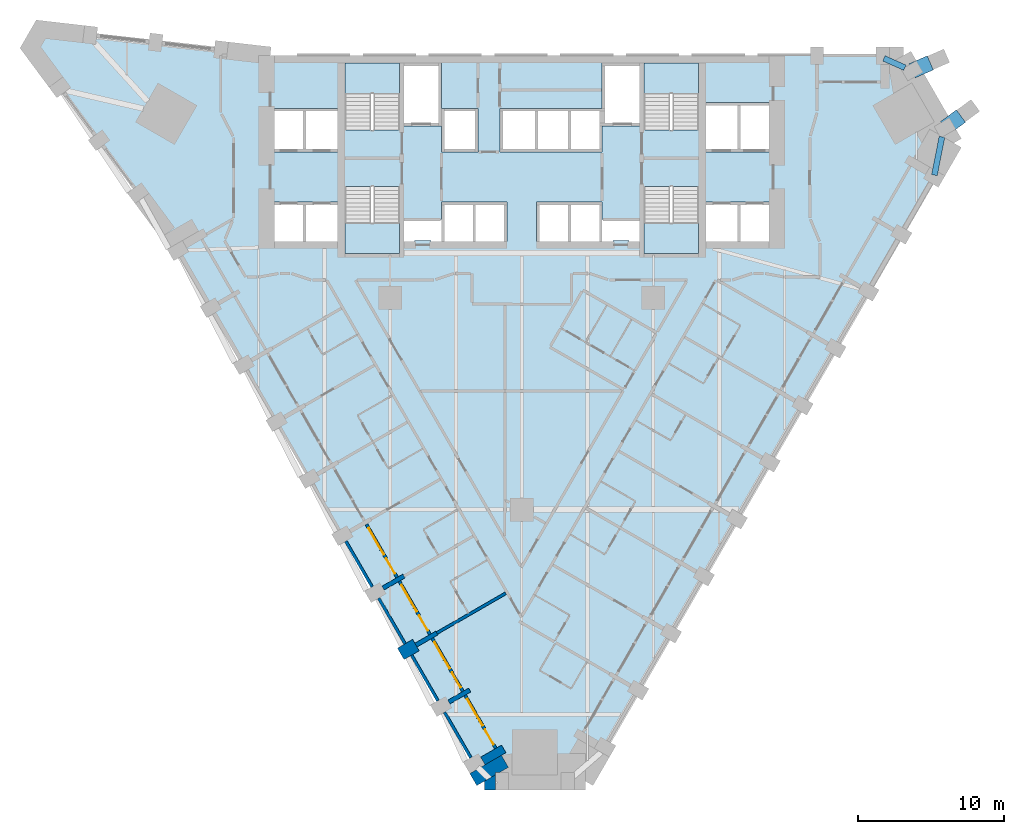
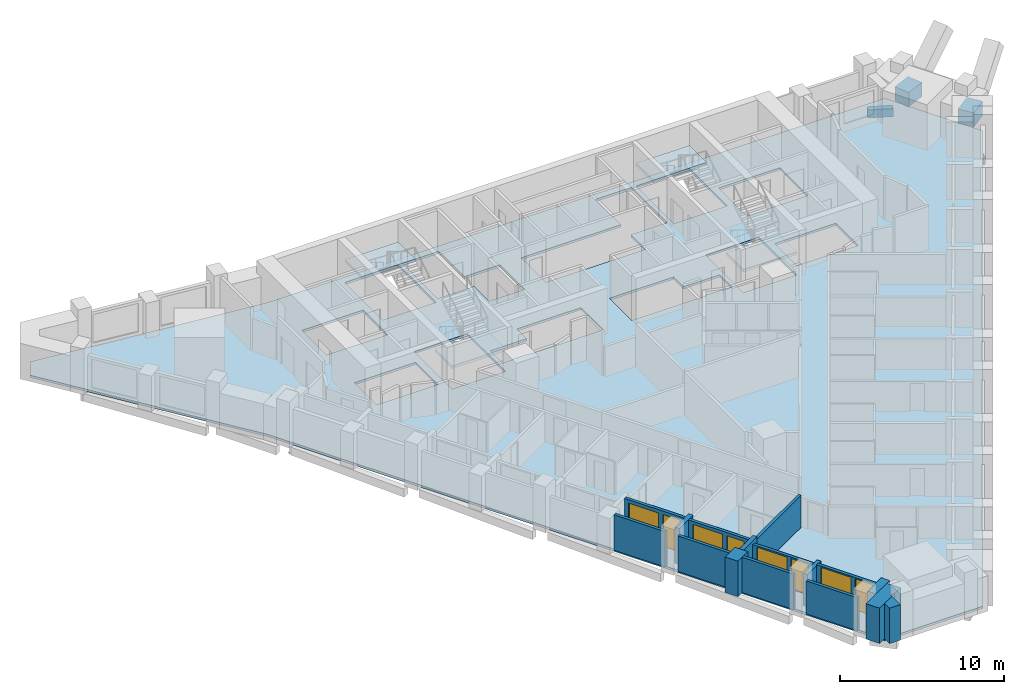
# One storey, part 2 of 12: 16 walls, 5 slabs, 4 beams, 4 doors, 4 windows, 8 openings, 4 elements without a shape of their own.
"""IFC4 building model written with IfcOpenShell, lengths in metres."""

from ifc_helpers import new_model, si_unit, direction, frame, frame_2d, origin, origin_2d, place, context, subcontext, project, spatial, polyline, rectangle, outline, extrude, material, layer, layer_set, material_profile, profile_set, type_object, element, fill, aggregate, save


model = new_model("IFC4")

# Units and contexts
model_context = context("Model", 3, precision=1e-05, world=origin(), true_north=direction((0.0, 1.0)))
body_context = subcontext(model_context, "Body", "Model", "MODEL_VIEW")
ifc_project = project(units=[si_unit("LENGTHUNIT", "METRE"), si_unit("AREAUNIT", "SQUARE_METRE"), si_unit("VOLUMEUNIT", "CUBIC_METRE"), si_unit("PLANEANGLEUNIT", "RADIAN"), si_unit("MASSUNIT", "GRAM", prefix="KILO")], contexts=[model_context])

# Site, building, storey
site_placement = place(None, origin())
site = spatial("IfcSite", under=ifc_project, at=site_placement, CompositionType="ELEMENT")
building_placement = place(site_placement, origin())
building = spatial("IfcBuilding", under=site, at=building_placement, Name="Calabash Gate Tower", CompositionType="ELEMENT")
storey_placement = place(building_placement, frame((0.0, 0.0, 80.0)))
storey = spatial("IfcBuildingStorey", under=building, at=storey_placement, Name="L16", CompositionType="ELEMENT", Elevation=80.0)

# Beams
ifc_material_1 = material(Name="Concrete C60/75", Category="concrete")
ifc_material_profile_1 = material_profile(ifc_material_1, rectangle(XDim=0.39990234375, YDim=0.60009765625, at=origin_2d()))
ifc_profile_set_1 = profile_set([ifc_material_profile_1], Name="Concrete C60/75")
beam_type_1 = type_object("IfcBeamType", Name="Edge beam RC 400x600 Concrete C60/75", PredefinedType="BEAM", material=ifc_profile_set_1)
beam_1_placement = place(storey_placement, frame((28.220947265625, 10.876953125, -0.469970703125), z_axis=(0.194549660951, 0.980892669676, 0.0), x_axis=(-0.980892669676, 0.194549660951, 0.0)))
element("IfcBeam", 1, at=beam_1_placement, inside=storey, type_object=beam_type_1, Name="Edge beam L16 12", PredefinedType="BEAM", context=body_context, shape_type="SweptSolid", body=[
    extrude(rectangle(XDim=0.39990234375, YDim=0.60009765625, at=origin_2d()), origin(), (0.0, 0.0, 1.0), 2.66796875),
])
beam_2_placement = place(storey_placement, frame((26.202880859375, 18.22705078125, -0.469970703125), z_axis=(-0.913625671127, 0.406556432807, 0.0), x_axis=(-0.406556432807, -0.913625671127, 0.0)))
element("IfcBeam", 2, at=beam_2_placement, inside=storey, type_object=beam_type_1, Name="Edge beam L16 13", PredefinedType="BEAM", context=body_context, shape_type="SweptSolid", body=[
    extrude(rectangle(XDim=0.39990234375, YDim=0.60009765625, at=origin_2d()), origin(), (0.0, 0.0, 1.0), 1.571533203125),
])
ifc_material_2 = material(Name="Concrete C80/95", Category="concrete")
ifc_material_profile_2 = material_profile(ifc_material_2, rectangle(XDim=1.050048828125, YDim=1.050048828125, at=origin_2d()))
ifc_profile_set_2 = profile_set([ifc_material_profile_2], Name="Concrete C80/95")
beam_type_2 = type_object("IfcBeamType", Name="Transfer node RC 1050x1050 Concrete C80/95", PredefinedType="BEAM", material=ifc_profile_set_2)
beam_3_placement = place(storey_placement, frame((28.947021484375, 14.113037109375, 0.527099609375), z_axis=(0.804273287637, 0.594259605554, 0.0), x_axis=(-0.594259605554, 0.804273287637, 0.0)))
element("IfcBeam", 3, at=beam_3_placement, inside=storey, type_object=beam_type_2, Name="Transfer node L18 prow foot P22", PredefinedType="BEAM", context=body_context, shape_type="SweptSolid", body=[
    extrude(rectangle(XDim=1.050048828125, YDim=1.050048828125, at=origin_2d()), origin(), (0.0, 0.0, 1.0), 1.35791015625),
])
beam_4_placement = place(storey_placement, frame((26.697021484375, 18.010986328125, 0.527099609375), z_axis=(0.915698880369, 0.401865102356, 0.0), x_axis=(-0.401865102356, 0.915698880369, 0.0)))
element("IfcBeam", 4, at=beam_4_placement, inside=storey, type_object=beam_type_2, Name="Transfer node L18 prow foot P23", PredefinedType="BEAM", context=body_context, shape_type="SweptSolid", body=[
    extrude(rectangle(XDim=1.050048828125, YDim=1.050048828125, at=origin_2d()), origin(), (0.0, 0.0, 1.0), 1.3583984375),
])

# Slab
ifc_material_3 = material(Name="Concrete C40/50", Category="concrete")
ifc_layer_1 = layer(ifc_material_3, 0.169921875)
ifc_layer_set_1 = layer_set([ifc_layer_1], Name="Composite floor slab 170 Concrete C40/50")
slab_type_1 = type_object("IfcSlabType", Name="Composite floor slab 170 Concrete C40/50", PredefinedType="FLOOR", material=ifc_layer_set_1)
slab_1_placement = place(storey_placement, frame((0.0, 0.0, -0.169921875)))
element("IfcSlab", 5, at=slab_1_placement, inside=storey, type_object=slab_type_1, Name="Floor slab L16", PredefinedType="FLOOR", context=body_context, shape_type="SweptSolid", body=[
    extrude(outline(polyline([(-24.2099609375, 6.92822265625), (-33.6025390625, 19.606201171875), (-32.8857421875, 20.84765625), (-17.2099609375, 19.052490234375), (26.09375, 19.052490234375), (29.546875, 13.071533203125), (4.34814453125, -30.573974609375), (-2.55810546875, -30.573974609375), (-24.2099609375, 6.92822265625)]), holes=[polyline([(-5.5, 9.052490234375), (-5.5, 7.8525390625), (-8.050048828125, 7.8525390625), (-8.050048828125, 6.3525390625), (-7.324951171875, 6.3525390625), (-7.324951171875, 6.402587890625), (-6.22509765625, 6.402587890625), (-6.22509765625, 6.3525390625), (-5.5, 6.3525390625), (-3.25, 6.3525390625), (-1.0, 6.3525390625), (-1.0, 9.052490234375), (-3.25, 9.052490234375), (-5.5, 9.052490234375)]), polyline([(5.5, 9.052490234375), (3.25, 9.052490234375), (1.0, 9.052490234375), (1.0, 6.3525390625), (3.25, 6.3525390625), (5.5, 6.3525390625), (6.22509765625, 6.3525390625), (6.22509765625, 6.402587890625), (7.324951171875, 6.402587890625), (7.324951171875, 6.3525390625), (8.050048828125, 6.3525390625), (8.050048828125, 7.8525390625), (5.5, 7.8525390625), (5.5, 9.052490234375)]), polyline([(-5.5, 14.252685546875), (-5.5, 12.45263671875), (-3.0, 12.45263671875), (-3.0, 15.45263671875), (-5.5, 15.45263671875), (-5.5, 18.552490234375), (-8.050048828125, 18.552490234375), (-8.050048828125, 14.252685546875), (-5.5, 14.252685546875)]), polyline([(8.050048828125, 18.552490234375), (5.5, 18.552490234375), (5.5, 15.45263671875), (3.25, 15.45263671875), (1.0, 15.45263671875), (-1.5, 15.45263671875), (-1.5, 12.45263671875), (1.0, 12.45263671875), (3.25, 12.45263671875), (5.5, 12.45263671875), (5.5, 14.252685546875), (8.050048828125, 14.252685546875), (8.050048828125, 18.552490234375)]), polyline([(-12.60009765625, 6.3525390625), (-12.60009765625, 9.052490234375), (-14.85009765625, 9.052490234375), (-16.89990234375, 9.052490234375), (-16.89990234375, 6.3525390625), (-14.85009765625, 6.3525390625), (-12.60009765625, 6.3525390625)]), polyline([(-14.85009765625, 12.45263671875), (-12.60009765625, 12.45263671875), (-12.60009765625, 15.45263671875), (-14.85009765625, 15.45263671875), (-16.89990234375, 15.45263671875), (-16.89990234375, 12.45263671875), (-14.85009765625, 12.45263671875)]), polyline([(14.85009765625, 6.3525390625), (16.89990234375, 6.3525390625), (16.89990234375, 9.052490234375), (14.85009765625, 9.052490234375), (12.60009765625, 9.052490234375), (12.60009765625, 6.3525390625), (14.85009765625, 6.3525390625)]), polyline([(14.85009765625, 12.45263671875), (16.89990234375, 12.45263671875), (16.89990234375, 15.8525390625), (14.85009765625, 15.8525390625), (12.60009765625, 15.8525390625), (12.60009765625, 12.45263671875), (14.85009765625, 12.45263671875)]), polyline([(-8.35009765625, 18.552490234375), (-12.10009765625, 18.552490234375), (-12.10009765625, 13.95263671875), (-8.35009765625, 13.95263671875), (-8.35009765625, 18.552490234375)]), polyline([(-12.10009765625, 10.1025390625), (-12.10009765625, 5.502685546875), (-8.35009765625, 5.502685546875), (-8.35009765625, 10.1025390625), (-12.10009765625, 10.1025390625)]), polyline([(8.35009765625, 13.95263671875), (12.10009765625, 13.95263671875), (12.10009765625, 18.552490234375), (8.35009765625, 18.552490234375), (8.35009765625, 13.95263671875)]), polyline([(12.10009765625, 5.502685546875), (12.10009765625, 10.1025390625), (8.35009765625, 10.1025390625), (8.35009765625, 5.502685546875), (12.10009765625, 5.502685546875)])]), origin(), (0.0, 0.0, 1.0), 0.169921875),
])

# Stair, slab
ifc_material_4 = material(Name="Concrete C40/50", Category="concrete")
stair_type = type_object("IfcStairType", Name="Exit stair 20 risers of 170 mm", PredefinedType="HALF_TURN_STAIR", material=ifc_material_4)
stair_1_placement = place(storey_placement, origin())
stair_1 = element("IfcStair", 6, at=stair_1_placement, inside=storey, type_object=stair_type, Name="L16 Exit stair ST1", PredefinedType="HALF_TURN_STAIR")
ifc_material_5 = material(Name="Concrete C40/50", Category="concrete")
ifc_layer_2 = layer(ifc_material_5, 0.199951171875)
ifc_layer_set_2 = layer_set([ifc_layer_2], Name="Stair landing SL200")
slab_type_2 = type_object("IfcSlabType", Name="Stair landing SL200", PredefinedType="LANDING", material=ifc_layer_set_2)
slab_2_placement = place(storey_placement, frame((0.0, 0.0, 1.5)))
slab_2 = element("IfcSlab", 7, at=slab_2_placement, type_object=slab_type_2, Name="ST1 landing 1", PredefinedType="LANDING", context=body_context, shape_type="SweptSolid", body=[
    extrude(outline(polyline([(-8.35009765625, 16.463623046875), (-8.35009765625, 18.552490234375), (-12.10009765625, 18.552490234375), (-12.10009765625, 16.463623046875), (-8.35009765625, 16.463623046875)])), origin(), (0.0, 0.0, 1.0), 0.199951171875),
])
aggregate(stair_1, [slab_2])

stair_2_placement = place(storey_placement, origin())
stair_2 = element("IfcStair", 8, at=stair_2_placement, inside=storey, type_object=stair_type, Name="L16 Exit stair ST2", PredefinedType="HALF_TURN_STAIR")
slab_3_placement = place(storey_placement, frame((0.0, 0.0, 1.5)))
slab_3 = element("IfcSlab", 9, at=slab_3_placement, type_object=slab_type_2, Name="ST2 landing 1", PredefinedType="LANDING", context=body_context, shape_type="SweptSolid", body=[
    extrude(outline(polyline([(-12.10009765625, 7.591552734375), (-12.10009765625, 5.502685546875), (-8.35009765625, 5.502685546875), (-8.35009765625, 7.591552734375), (-12.10009765625, 7.591552734375)])), origin(), (0.0, 0.0, 1.0), 0.199951171875),
])
aggregate(stair_2, [slab_3])

stair_3_placement = place(storey_placement, origin())
stair_3 = element("IfcStair", 10, at=stair_3_placement, inside=storey, type_object=stair_type, Name="L16 Exit stair ST3", PredefinedType="HALF_TURN_STAIR")
slab_4_placement = place(storey_placement, frame((0.0, 0.0, 1.5)))
slab_4 = element("IfcSlab", 11, at=slab_4_placement, type_object=slab_type_2, Name="ST3 landing 1", PredefinedType="LANDING", context=body_context, shape_type="SweptSolid", body=[
    extrude(outline(polyline([(12.10009765625, 16.463623046875), (12.10009765625, 18.552490234375), (8.35009765625, 18.552490234375), (8.35009765625, 16.463623046875), (12.10009765625, 16.463623046875)])), origin(), (0.0, 0.0, 1.0), 0.199951171875),
])
aggregate(stair_3, [slab_4])

stair_4_placement = place(storey_placement, origin())
stair_4 = element("IfcStair", 12, at=stair_4_placement, inside=storey, type_object=stair_type, Name="L16 Exit stair ST4", PredefinedType="HALF_TURN_STAIR")
slab_5_placement = place(storey_placement, frame((0.0, 0.0, 1.5)))
slab_5 = element("IfcSlab", 13, at=slab_5_placement, type_object=slab_type_2, Name="ST4 landing 1", PredefinedType="LANDING", context=body_context, shape_type="SweptSolid", body=[
    extrude(outline(polyline([(8.35009765625, 7.591552734375), (8.35009765625, 5.502685546875), (12.10009765625, 5.502685546875), (12.10009765625, 7.591552734375), (8.35009765625, 7.591552734375)])), origin(), (0.0, 0.0, 1.0), 0.199951171875),
])
aggregate(stair_4, [slab_5])

# Walls
ifc_material_6 = material(Name="Terracotta brick masonry, exposed face", Category="masonry")
ifc_layer_3 = layer(ifc_material_6, 2.5)
ifc_layer_set_3 = layer_set([ifc_layer_3], Name="Brick corner mass wall 2500")
wall_type_1 = type_object("IfcWallType", Name="Brick corner mass wall 2500", PredefinedType="SOLIDWALL", material=ifc_layer_set_3)
wall_1_placement = place(storey_placement, origin())
element("IfcWall", 14, at=wall_1_placement, inside=storey, type_object=wall_type_1, Name="Brick corner pier S04 2a", PredefinedType="SOLIDWALL", context=body_context, shape_type="SweptSolid", body=[
    extrude(outline(polyline([(-0.912841796875, -29.6240234375), (-1.388671875, -28.799560546875), (-3.5537109375, -30.049560546875), (-3.077880859375, -30.8740234375), (-1.802978515625, -30.137939453125), (-1.802978515625, -29.97412109375), (-1.51904296875, -29.97412109375), (-0.912841796875, -29.6240234375)])), origin(), (0.0, 0.0, 1.0), 2.6298828125),
])
wall_2_placement = place(storey_placement, origin())
element("IfcWall", 15, at=wall_2_placement, inside=storey, type_object=wall_type_1, Name="Brick corner pier S04 2ba", PredefinedType="SOLIDWALL", context=body_context, shape_type="SweptSolid", body=[
    extrude(outline(polyline([(-2.55810546875, -30.573974609375), (-2.55810546875, -31.173828125), (-1.802978515625, -31.173828125), (-1.802978515625, -30.137939453125), (-2.55810546875, -30.573974609375)])), origin(), (0.0, 0.0, 1.0), 2.6298828125),
])
ifc_material_7 = material(Name="Terracotta brick masonry, exposed face", Category="masonry")
ifc_layer_4 = layer(ifc_material_7, 1.199951171875)
ifc_layer_set_4 = layer_set([ifc_layer_4], Name="Brick end wall 1200")
wall_type_2 = type_object("IfcWallType", Name="Brick end wall 1200", PredefinedType="SOLIDWALL", material=ifc_layer_set_4)
wall_3_placement = place(storey_placement, frame((-7.239501953125, -21.265625, 0.0), z_axis=(0.0, 0.0, 1.0), x_axis=(-0.866006032174, -0.500033551112, 0.0)))
element("IfcWall", 16, at=wall_3_placement, inside=storey, type_object=wall_type_2, Name="Brick pier S04 SW0.7", PredefinedType="SOLIDWALL", context=body_context, shape_type="SweptSolid", body=[
    extrude(rectangle(XDim=1.2001953125, YDim=0.89990234375, at=frame_2d((0.60009765625, 0.0))), origin(), (0.0, 0.0, 1.0), 2.6298828125),
])
ifc_material_8 = material(Name="Terracotta brick masonry, exposed face", Category="masonry")
ifc_layer_5 = layer(ifc_material_8, 0.300048828125)
ifc_layer_set_5 = layer_set([ifc_layer_5], Name="Brick loggia cheek wall 300")
wall_type_3 = type_object("IfcWallType", Name="Brick loggia cheek wall 300", PredefinedType="SOLIDWALL", material=ifc_layer_set_5)
wall_4_placement = place(storey_placement, frame((-9.489501953125, -17.36865234375, 0.0), z_axis=(0.0, 0.0, 1.0), x_axis=(0.865976140824, 0.500085316245, 0.0)))
element("IfcWall", 17, at=wall_4_placement, inside=storey, type_object=wall_type_3, Name="Loggia cheek S04 SW0.6", PredefinedType="SOLIDWALL", context=body_context, shape_type="SweptSolid", body=[
    extrude(rectangle(XDim=1.650146484375, YDim=0.300048828125, at=frame_2d((0.8251953125, 0.0))), origin(), (0.0, 0.0, 1.0), 2.64990234375),
])
wall_5_placement = place(storey_placement, frame((-5.810546875, -20.440673828125, 0.0), z_axis=(0.0, 0.0, 1.0), x_axis=(-0.866040211805, -0.499974350878, 0.0)))
element("IfcWall", 18, at=wall_5_placement, inside=storey, type_object=wall_type_3, Name="Loggia cheek S04 SW0.7", PredefinedType="SOLIDWALL", context=body_context, shape_type="SweptSolid", body=[
    extrude(rectangle(XDim=1.64990234375, YDim=0.300048828125, at=frame_2d((0.824951171875, 0.0))), origin(), (0.0, 0.0, 1.0), 2.6279296875),
])
wall_6_placement = place(storey_placement, frame((-3.560546875, -24.337890625, 0.0), z_axis=(0.0, 0.0, 1.0), x_axis=(-0.866040211805, -0.499974350878, 0.0)))
element("IfcWall", 19, at=wall_6_placement, inside=storey, type_object=wall_type_3, Name="Loggia cheek S04 SW0.8", PredefinedType="SOLIDWALL", context=body_context, shape_type="SweptSolid", body=[
    extrude(rectangle(XDim=1.64990234375, YDim=0.300048828125, at=frame_2d((0.824951171875, 0.0))), origin(), (0.0, 0.0, 1.0), 2.384033203125),
])
wall_7_placement = place(storey_placement, frame((-2.66455078125, -29.189697265625, 0.0), z_axis=(0.0, 0.0, 1.0), x_axis=(0.866040211805, 0.499974350878, 0.0)))
element("IfcWall", 20, at=wall_7_placement, inside=storey, type_object=wall_type_3, Name="Loggia cheek S04 SW0.9", PredefinedType="SOLIDWALL", context=body_context, shape_type="SweptSolid", body=[
    extrude(rectangle(XDim=1.64990234375, YDim=0.60009765625, at=frame_2d((0.824951171875, 0.0))), origin(), (0.0, 0.0, 1.0), 2.6298828125),
])
ifc_material_9 = material(Name="Gypsum board on steel studs, mineral wool", Category="steel")
ifc_layer_6 = layer(ifc_material_9, 0.199951171875)
ifc_layer_set_6 = layer_set([ifc_layer_6], Name="Partition 200 gypsum board EI 60")
wall_type_4 = type_object("IfcWallType", Name="Partition 200 gypsum board EI 60", PredefinedType="PARTITIONING", material=ifc_layer_set_6)
wall_8_placement = place(storey_placement, frame((-5.810302734375, -20.441162109375, 0.0), z_axis=(0.0, 0.0, 1.0), x_axis=(0.866020710281, 0.500008129298, 0.0)))
element("IfcWall", 21, at=wall_8_placement, inside=storey, type_object=wall_type_4, Name="Partition", PredefinedType="PARTITIONING", context=body_context, shape_type="SweptSolid", body=[
    extrude(rectangle(XDim=5.44970703125, YDim=0.199951171875, at=frame_2d((2.724853515625, 0.0))), origin(), (0.0, 0.0, 1.0), 2.384033203125),
])
ifc_material_10 = material(Name="Terracotta brick masonry, perforated", Category="masonry")
ifc_layer_7 = layer(ifc_material_10, 0.199951171875)
ifc_layer_set_7 = layer_set([ifc_layer_7], Name="Terracotta jaali screen B")
wall_type_5 = type_object("IfcWallType", Name="Terracotta jaali screen B", PredefinedType="SOLIDWALL", material=ifc_layer_set_7)
for number, where, z_axis, x_axis, name in (
    (22, (-12.0341796875, -14.1611328125, 0.0), (0.0, 0.0, 1.0), (0.500012057535, -0.866018442252, 0.0), "SCREEN B S04 SW0.6"),
    (23, (-9.7841796875, -18.058349609375, 0.0), (0.0, 0.0, 1.0), (0.500012057535, -0.866018442252, 0.0), "SCREEN B S04 SW0.7"),
    (24, (-7.5341796875, -21.955322265625, 0.0), (0.0, 0.0, 1.0), (0.500012057535, -0.866018442252, 0.0), "SCREEN B S04 SW0.8"),
):
    element("IfcWall", number, at=place(storey_placement, frame(where, z_axis=z_axis, x_axis=x_axis)), inside=storey, type_object=wall_type_5, Name=name, PredefinedType="SOLIDWALL", context=body_context, shape_type="SweptSolid", body=[
        extrude(rectangle(XDim=3.60009765625, YDim=0.199951171875, at=frame_2d((1.800048828125, 0.0))), origin(), (0.0, 0.0, 1.0), 2.6298828125),
    ])
wall_9_placement = place(storey_placement, frame((-5.2841796875, -25.8525390625, 0.0), z_axis=(0.0, 0.0, 1.0), x_axis=(0.500012057535, -0.866018442252, 0.0)))
element("IfcWall", 25, at=wall_9_placement, inside=storey, type_object=wall_type_5, Name="SCREEN B S04 SW0.9", PredefinedType="SOLIDWALL", context=body_context, shape_type="SweptSolid", body=[
    extrude(rectangle(XDim=3.60009765625, YDim=0.199951171875, at=frame_2d((1.800048828125, 0.0))), origin(), (0.0, 0.0, 1.0), 2.4501953125),
])

# Wall, openings, door, window
ifc_material_11 = material(Name="Aluminium framed window wall with insulated spandrel", Category="aluminium")
ifc_layer_8 = layer(ifc_material_11, 0.199951171875)
ifc_layer_set_8 = layer_set([ifc_layer_8], Name="Window wall 200")
wall_type_6 = type_object("IfcWallType", Name="Window wall 200", PredefinedType="ELEMENTEDWALL", material=ifc_layer_set_8)
wall_10_placement = place(storey_placement, frame((-10.625244140625, -13.001220703125, 0.0), z_axis=(0.0, 0.0, 1.0), x_axis=(0.499958946799, -0.866049104564, 0.0)))
wall_10 = element("IfcWall", 26, at=wall_10_placement, inside=storey, type_object=wall_type_6, Name="Window wall S04 SW0.6", PredefinedType="ELEMENTEDWALL", context=body_context, shape_type="SweptSolid", body=[
    extrude(rectangle(XDim=4.199951171875, YDim=0.199951171875, at=frame_2d((2.10009765625, 0.0))), origin(), (0.0, 0.0, 1.0), 2.64990234375),
])
opening_1_placement = place(wall_10_placement, frame((0.300048828125, 0.0, 0.60009765625)))
opening_1 = element("IfcOpeningElement", 27, at=opening_1_placement, cuts=wall_10, Name="Opening HW1", PredefinedType="OPENING", context=body_context, shape_type="SweptSolid", body=[
    extrude(rectangle(XDim=2.10009765625, YDim=1.800048828125, at=frame_2d((1.050048828125, 0.89990234375))), frame((0.0, 0.10986328125, 0.0), z_axis=(0.0, -1.0, 0.0), x_axis=(1.0, 0.0, 0.0)), (0.0, 0.0, 1.0), 0.219970703125),
])
opening_2_placement = place(wall_10_placement, frame((2.699951171875, 0.0, 0.0)))
opening_2 = element("IfcOpeningElement", 28, at=opening_2_placement, cuts=wall_10, Name="Opening H4-029", PredefinedType="OPENING", context=body_context, shape_type="SweptSolid", body=[
    extrude(rectangle(XDim=1.199951171875, YDim=2.39990234375, at=frame_2d((0.60009765625, 1.199951171875))), frame((0.0, 0.10986328125, 0.0), z_axis=(0.0, -1.0, 0.0), x_axis=(1.0, 0.0, 0.0)), (0.0, 0.0, 1.0), 0.219970703125),
])
ifc_material_12 = material(Name="Anodised aluminium frame, bronze finish, impact-rated laminated clear glazing", Category="aluminium")
door_type_1 = type_object("IfcDoorType", Name="Loggia door DH1 1200x2400", OperationType="SLIDING_TO_LEFT", PredefinedType="DOOR", material=ifc_material_12)
door_1_placement = place(opening_2_placement, origin())
door_1 = element("IfcDoor", 29, at=door_1_placement, inside=storey, type_object=door_type_1, Name="Loggia door S04 SW0.6", OperationType="SINGLE_SWING_LEFT", OverallHeight=2.39990234375, OverallWidth=1.199951171875, PredefinedType="DOOR", context=body_context, shape_type="SweptSolid", body=[
    extrude(rectangle(XDim=1.199951171875, YDim=2.39990234375, at=frame_2d((0.60009765625, 1.199951171875))), frame((0.0, 0.02490234375, 0.0), z_axis=(0.0, -1.0, 0.0), x_axis=(1.0, 0.0, 0.0)), (0.0, 0.0, 1.0), 0.050048828125),
])
fill(opening_2, door_1)
ifc_material_13 = material(Name="Anodised aluminium frame, bronze finish, impact-rated laminated clear glazing", Category="aluminium")
window_type_1 = type_object("IfcWindowType", Name="Window HW1 2100x1800", PartitioningType="DOUBLE_PANEL_VERTICAL", PredefinedType="WINDOW", material=ifc_material_13)
window_1_placement = place(opening_1_placement, origin())
window_1 = element("IfcWindow", 30, at=window_1_placement, inside=storey, type_object=window_type_1, Name="Window HW1 S04 SW0.6", OverallHeight=1.800048828125, OverallWidth=2.10009765625, PartitioningType="SINGLE_PANEL", PredefinedType="WINDOW", context=body_context, shape_type="SweptSolid", body=[
    extrude(rectangle(XDim=2.10009765625, YDim=1.800048828125, at=frame_2d((1.050048828125, 0.89990234375))), frame((0.0, 0.030029296875, 0.0), z_axis=(0.0, -1.0, 0.0), x_axis=(1.0, 0.0, 0.0)), (0.0, 0.0, 1.0), 0.06005859375),
])
fill(opening_1, window_1)

wall_11_placement = place(storey_placement, frame((-8.375244140625, -16.8984375, 0.0), z_axis=(0.0, 0.0, 1.0), x_axis=(0.49998411664, -0.866034573852, 0.0)))
wall_11 = element("IfcWall", 31, at=wall_11_placement, inside=storey, type_object=wall_type_6, Name="Window wall S04 SW0.7", PredefinedType="ELEMENTEDWALL", context=body_context, shape_type="SweptSolid", body=[
    extrude(rectangle(XDim=4.199951171875, YDim=0.199951171875, at=frame_2d((2.10009765625, 0.0))), origin(), (0.0, 0.0, 1.0), 2.6279296875),
])
opening_3_placement = place(wall_11_placement, frame((0.300048828125, 0.0, 0.60009765625)))
opening_3 = element("IfcOpeningElement", 32, at=opening_3_placement, cuts=wall_11, Name="Opening HW1", PredefinedType="OPENING", context=body_context, shape_type="SweptSolid", body=[
    extrude(rectangle(XDim=2.10009765625, YDim=1.800048828125, at=frame_2d((1.050048828125, 0.89990234375))), frame((0.0, 0.10986328125, 0.0), z_axis=(0.0, -1.0, 0.0), x_axis=(1.0, 0.0, 0.0)), (0.0, 0.0, 1.0), 0.219970703125),
])
opening_4_placement = place(wall_11_placement, frame((2.699951171875, 0.0, 0.0)))
opening_4 = element("IfcOpeningElement", 33, at=opening_4_placement, cuts=wall_11, Name="Opening H4-030", PredefinedType="OPENING", context=body_context, shape_type="SweptSolid", body=[
    extrude(rectangle(XDim=1.199951171875, YDim=2.39990234375, at=frame_2d((0.60009765625, 1.199951171875))), frame((0.0, 0.10986328125, 0.0), z_axis=(0.0, -1.0, 0.0), x_axis=(1.0, 0.0, 0.0)), (0.0, 0.0, 1.0), 0.219970703125),
])
door_2_placement = place(opening_4_placement, origin())
door_2 = element("IfcDoor", 34, at=door_2_placement, inside=storey, type_object=door_type_1, Name="Loggia door S04 SW0.7", OperationType="SINGLE_SWING_LEFT", OverallHeight=2.39990234375, OverallWidth=1.199951171875, PredefinedType="DOOR", context=body_context, shape_type="SweptSolid", body=[
    extrude(rectangle(XDim=1.199951171875, YDim=2.39990234375, at=frame_2d((0.60009765625, 1.199951171875))), frame((0.0, 0.02490234375, 0.0), z_axis=(0.0, -1.0, 0.0), x_axis=(1.0, 0.0, 0.0)), (0.0, 0.0, 1.0), 0.050048828125),
])
fill(opening_4, door_2)
window_2_placement = place(opening_3_placement, origin())
window_2 = element("IfcWindow", 35, at=window_2_placement, inside=storey, type_object=window_type_1, Name="Window HW1 S04 SW0.7", OverallHeight=1.800048828125, OverallWidth=2.10009765625, PartitioningType="SINGLE_PANEL", PredefinedType="WINDOW", context=body_context, shape_type="SweptSolid", body=[
    extrude(rectangle(XDim=2.10009765625, YDim=1.800048828125, at=frame_2d((1.050048828125, 0.89990234375))), frame((0.0, 0.030029296875, 0.0), z_axis=(0.0, -1.0, 0.0), x_axis=(1.0, 0.0, 0.0)), (0.0, 0.0, 1.0), 0.06005859375),
])
fill(opening_3, window_2)

wall_12_placement = place(storey_placement, frame((-6.125244140625, -20.795654296875, 0.0), z_axis=(0.0, 0.0, 1.0), x_axis=(0.49998411664, -0.866034573852, 0.0)))
wall_12 = element("IfcWall", 36, at=wall_12_placement, inside=storey, type_object=wall_type_6, Name="Window wall S04 SW0.8", PredefinedType="ELEMENTEDWALL", context=body_context, shape_type="SweptSolid", body=[
    extrude(rectangle(XDim=4.199951171875, YDim=0.199951171875, at=frame_2d((2.10009765625, 0.0))), origin(), (0.0, 0.0, 1.0), 2.384033203125),
])
opening_5_placement = place(wall_12_placement, frame((0.300048828125, 0.0, 0.60009765625)))
opening_5 = element("IfcOpeningElement", 37, at=opening_5_placement, cuts=wall_12, Name="Opening HW1L-1680", PredefinedType="OPENING", context=body_context, shape_type="SweptSolid", body=[
    extrude(rectangle(XDim=2.10009765625, YDim=1.679931640625, at=frame_2d((1.050048828125, 0.83984375))), frame((0.0, 0.10986328125, 0.0), z_axis=(0.0, -1.0, 0.0), x_axis=(1.0, 0.0, 0.0)), (0.0, 0.0, 1.0), 0.219970703125),
])
opening_6_placement = place(wall_12_placement, frame((2.699951171875, 0.0, 0.0)))
opening_6 = element("IfcOpeningElement", 38, at=opening_6_placement, cuts=wall_12, Name="Opening H4-031", PredefinedType="OPENING", context=body_context, shape_type="SweptSolid", body=[
    extrude(rectangle(XDim=1.199951171875, YDim=2.280029296875, at=frame_2d((0.60009765625, 1.14013671875))), frame((0.0, 0.10986328125, 0.0), z_axis=(0.0, -1.0, 0.0), x_axis=(1.0, 0.0, 0.0)), (0.0, 0.0, 1.0), 0.219970703125),
])
ifc_material_14 = material(Name="Anodised aluminium frame, bronze finish, impact-rated laminated clear glazing", Category="aluminium")
door_type_2 = type_object("IfcDoorType", Name="Loggia door DH1L-2280 1200x2280", OperationType="SLIDING_TO_LEFT", PredefinedType="DOOR", material=ifc_material_14)
door_3_placement = place(opening_6_placement, origin())
door_3 = element("IfcDoor", 39, at=door_3_placement, inside=storey, type_object=door_type_2, Name="Loggia door S04 SW0.8", OperationType="SINGLE_SWING_LEFT", OverallHeight=2.280029296875, OverallWidth=1.199951171875, PredefinedType="DOOR", context=body_context, shape_type="SweptSolid", body=[
    extrude(rectangle(XDim=1.199951171875, YDim=2.280029296875, at=frame_2d((0.60009765625, 1.14013671875))), frame((0.0, 0.02490234375, 0.0), z_axis=(0.0, -1.0, 0.0), x_axis=(1.0, 0.0, 0.0)), (0.0, 0.0, 1.0), 0.050048828125),
])
fill(opening_6, door_3)
ifc_material_15 = material(Name="Anodised aluminium frame, bronze finish, impact-rated laminated clear glazing", Category="aluminium")
window_type_2 = type_object("IfcWindowType", Name="Window HW1L 2100x1680", PartitioningType="DOUBLE_PANEL_VERTICAL", PredefinedType="WINDOW", material=ifc_material_15)
window_3_placement = place(opening_5_placement, origin())
window_3 = element("IfcWindow", 40, at=window_3_placement, inside=storey, type_object=window_type_2, Name="Window HW1 S04 SW0.8", OverallHeight=1.679931640625, OverallWidth=2.10009765625, PartitioningType="SINGLE_PANEL", PredefinedType="WINDOW", context=body_context, shape_type="SweptSolid", body=[
    extrude(rectangle(XDim=2.10009765625, YDim=1.679931640625, at=frame_2d((1.050048828125, 0.83984375))), frame((0.0, 0.030029296875, 0.0), z_axis=(0.0, -1.0, 0.0), x_axis=(1.0, 0.0, 0.0)), (0.0, 0.0, 1.0), 0.06005859375),
])
fill(opening_5, window_3)

wall_13_placement = place(storey_placement, frame((-3.875244140625, -24.692626953125, 0.0), z_axis=(0.0, 0.0, 1.0), x_axis=(0.499958946799, -0.866049104564, 0.0)))
wall_13 = element("IfcWall", 41, at=wall_13_placement, inside=storey, type_object=wall_type_6, Name="Window wall S04 SW0.9", PredefinedType="ELEMENTEDWALL", context=body_context, shape_type="SweptSolid", body=[
    extrude(rectangle(XDim=4.199951171875, YDim=0.199951171875, at=frame_2d((2.10009765625, 0.0))), origin(), (0.0, 0.0, 1.0), 2.4501953125),
])
opening_7_placement = place(wall_13_placement, frame((0.300048828125, 0.0, 0.60009765625)))
opening_7 = element("IfcOpeningElement", 42, at=opening_7_placement, cuts=wall_13, Name="Opening HW1L-1750", PredefinedType="OPENING", context=body_context, shape_type="SweptSolid", body=[
    extrude(rectangle(XDim=2.10009765625, YDim=1.75, at=frame_2d((1.050048828125, 0.875))), frame((0.0, 0.10986328125, 0.0), z_axis=(0.0, -1.0, 0.0), x_axis=(1.0, 0.0, 0.0)), (0.0, 0.0, 1.0), 0.219970703125),
])
opening_8_placement = place(wall_13_placement, frame((2.699951171875, 0.0, 0.0)))
opening_8 = element("IfcOpeningElement", 43, at=opening_8_placement, cuts=wall_13, Name="Opening H4-032", PredefinedType="OPENING", context=body_context, shape_type="SweptSolid", body=[
    extrude(rectangle(XDim=1.199951171875, YDim=2.35009765625, at=frame_2d((0.60009765625, 1.175048828125))), frame((0.0, 0.10986328125, 0.0), z_axis=(0.0, -1.0, 0.0), x_axis=(1.0, 0.0, 0.0)), (0.0, 0.0, 1.0), 0.219970703125),
])
ifc_material_16 = material(Name="Anodised aluminium frame, bronze finish, impact-rated laminated clear glazing", Category="aluminium")
door_type_3 = type_object("IfcDoorType", Name="Loggia door DH1L-2350 1200x2350", OperationType="SLIDING_TO_LEFT", PredefinedType="DOOR", material=ifc_material_16)
door_4_placement = place(opening_8_placement, origin())
door_4 = element("IfcDoor", 44, at=door_4_placement, inside=storey, type_object=door_type_3, Name="Loggia door S04 SW0.9", OperationType="SINGLE_SWING_LEFT", OverallHeight=2.35009765625, OverallWidth=1.199951171875, PredefinedType="DOOR", context=body_context, shape_type="SweptSolid", body=[
    extrude(rectangle(XDim=1.199951171875, YDim=2.35009765625, at=frame_2d((0.60009765625, 1.175048828125))), frame((0.0, 0.02490234375, 0.0), z_axis=(0.0, -1.0, 0.0), x_axis=(1.0, 0.0, 0.0)), (0.0, 0.0, 1.0), 0.050048828125),
])
fill(opening_8, door_4)
ifc_material_17 = material(Name="Anodised aluminium frame, bronze finish, impact-rated laminated clear glazing", Category="aluminium")
window_type_3 = type_object("IfcWindowType", Name="Window HW1L 2100x1750", PartitioningType="DOUBLE_PANEL_VERTICAL", PredefinedType="WINDOW", material=ifc_material_17)
window_4_placement = place(opening_7_placement, origin())
window_4 = element("IfcWindow", 45, at=window_4_placement, inside=storey, type_object=window_type_3, Name="Window HW1 S04 SW0.9", OverallHeight=1.75, OverallWidth=2.10009765625, PartitioningType="SINGLE_PANEL", PredefinedType="WINDOW", context=body_context, shape_type="SweptSolid", body=[
    extrude(rectangle(XDim=2.10009765625, YDim=1.75, at=frame_2d((1.050048828125, 0.875))), frame((0.0, 0.030029296875, 0.0), z_axis=(0.0, -1.0, 0.0), x_axis=(1.0, 0.0, 0.0)), (0.0, 0.0, 1.0), 0.06005859375),
])
fill(opening_7, window_4)

save(model, "model.ifc")
